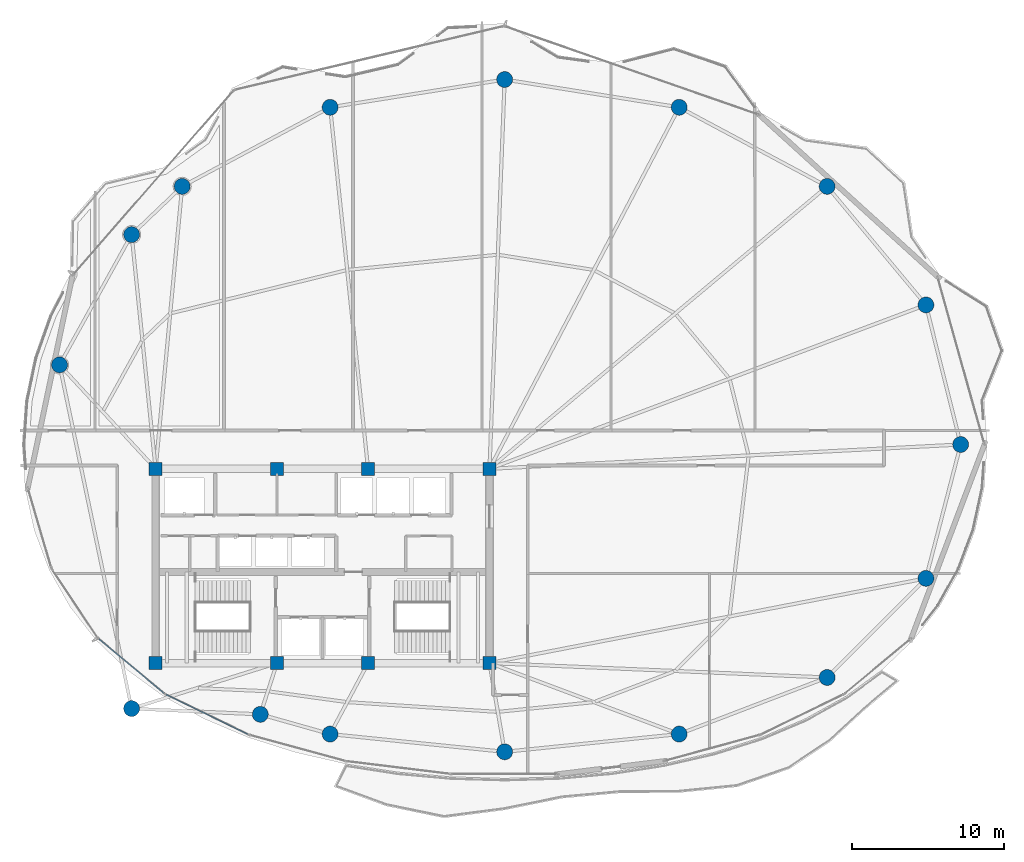
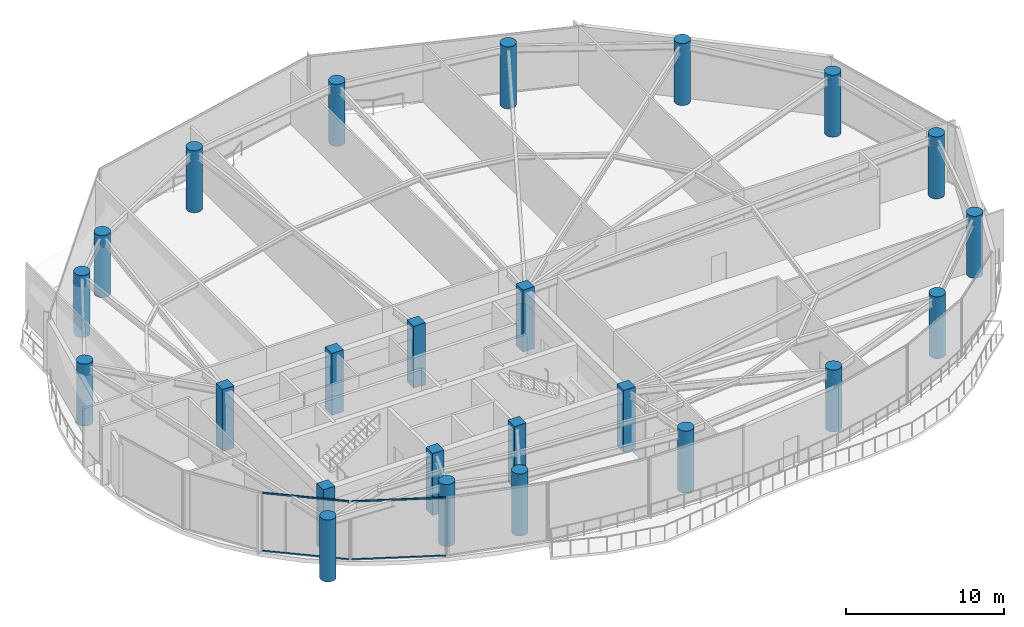
# One storey, part 1 of 28: 24 columns, 4 members, 2 elements without a shape of their own.
"""IFC4 building model written with IfcOpenShell, lengths in metres."""

from ifc_helpers import new_model, si_unit, direction, frame, origin, origin_2d, place, context, subcontext, project, spatial, rectangle, hollow_rectangle, circle, extrude, material, layer, layer_set, material_profile, profile_set, type_object, element, aggregate, save


model = new_model("IFC4")

# Units and contexts
model_context = context("Model", 3, precision=1e-05, world=origin(), true_north=direction((0.0, 1.0)))
body_context = subcontext(model_context, "Body", "Model", "MODEL_VIEW")
ifc_project = project(units=[si_unit("LENGTHUNIT", "METRE"), si_unit("AREAUNIT", "SQUARE_METRE"), si_unit("VOLUMEUNIT", "CUBIC_METRE"), si_unit("PLANEANGLEUNIT", "RADIAN"), si_unit("MASSUNIT", "GRAM", prefix="KILO")], contexts=[model_context])

# Site, building, storey
site_placement = place(None, origin())
site = spatial("IfcSite", under=ifc_project, at=site_placement, CompositionType="ELEMENT")
building_placement = place(site_placement, origin())
building = spatial("IfcBuilding", under=site, at=building_placement, Name="Kazevale Care Tower and Concert Hall", CompositionType="ELEMENT")
storey_placement = place(building_placement, frame((0.0, 0.0, 190.800048828125)))
storey = spatial("IfcBuildingStorey", under=building, at=storey_placement, Name="L50", CompositionType="ELEMENT", Elevation=190.800048828125)

# Columns
ifc_material_1 = material(Name="Concrete C50", Category="concrete")
ifc_material_profile_1 = material_profile(ifc_material_1, rectangle(XDim=0.85009765625, YDim=0.85009765625, at=origin_2d()), Name="RC-SQ850")
ifc_profile_set_1 = profile_set([ifc_material_profile_1], Name="Concrete C50")
column_type_1 = type_object("IfcColumnType", Name="Core Column SQ850 C50", PredefinedType="COLUMN", material=ifc_profile_set_1)
for number, where, z_axis, x_axis, name in (
    (1, (22.0, 23.60009765625, 0.0), (0.0, 0.0, 1.0), (1.0, 0.0, 0.0), "col:L50:CC-01"),
    (2, (30.0, 23.60009765625, 0.0), (0.0, 0.0, 1.0), (1.0, 0.0, 0.0), "col:L50:CC-02"),
    (3, (36.0, 23.60009765625, 0.0), (0.0, 0.0, 1.0), (1.0, 0.0, 0.0), "col:L50:CC-03"),
    (4, (44.0, 23.60009765625, 0.0), (0.0, 0.0, 1.0), (1.0, 0.0, 0.0), "col:L50:CC-04"),
    (5, (44.0, 36.39990234375, 0.0), (0.0, 0.0, 1.0), (1.0, 0.0, 0.0), "col:L50:CC-05"),
    (6, (36.0, 36.39990234375, 0.0), (0.0, 0.0, 1.0), (1.0, 0.0, 0.0), "col:L50:CC-06"),
    (7, (30.0, 36.39990234375, 0.0), (0.0, 0.0, 1.0), (1.0, 0.0, 0.0), "col:L50:CC-07"),
    (8, (22.0, 36.39990234375, 0.0), (0.0, 0.0, 1.0), (1.0, 0.0, 0.0), "col:L50:CC-08"),
):
    element("IfcColumn", number, at=place(storey_placement, frame(where, z_axis=z_axis, x_axis=x_axis)), inside=storey, type_object=column_type_1, Name=name, PredefinedType="COLUMN", context=body_context, shape_type="SweptSolid", body=[
        extrude(rectangle(XDim=0.85009765625, YDim=0.85009765625, at=origin_2d()), origin(), (0.0, 0.0, 1.0), 4.800048828125),
    ])
ifc_material_profile_2 = material_profile(ifc_material_1, circle(Radius=0.52490234375, at=origin_2d()), Name="RC-CIR1050")
ifc_profile_set_2 = profile_set([ifc_material_profile_2], Name="Concrete C50")
column_type_2 = type_object("IfcColumnType", Name="Perimeter Column CIR1050 C50", PredefinedType="COLUMN", material=ifc_profile_set_2)
for number, where, z_axis, x_axis, name in (
    (9, (75.050048828125, 38.0, 0.0), (0.0, 0.0, 1.0), (1.0, 0.0, 0.0), "col:L50:PC-01"),
    (10, (72.760009765625, 47.199951171875, 0.0), (0.0, 0.0, 1.0), (1.0, 0.0, 0.0), "col:L50:PC-02"),
    (11, (66.25, 55.010009765625, 0.0), (0.0, 0.0, 1.0), (1.0, 0.0, 0.0), "col:L50:PC-03"),
    (12, (56.5, 60.219970703125, 0.0), (0.0, 0.0, 1.0), (1.0, 0.0, 0.0), "col:L50:PC-04"),
    (13, (45.0, 62.050048828125, 0.0), (0.0, 0.0, 1.0), (1.0, 0.0, 0.0), "col:L50:PC-05"),
    (14, (33.5, 60.219970703125, 0.0), (0.0, 0.0, 1.0), (1.0, 0.0, 0.0), "col:L50:PC-06"),
    (15, (23.75, 55.010009765625, 0.0), (0.0, 0.0, 1.0), (1.0, 0.0, 0.0), "col:L50:PC-07"),
    (16, (20.419921875, 51.830078125, 0.0), (0.0, 0.0, 1.0), (1.0, 0.0, 0.0), "col:L50:PC-08"),
    (17, (15.669921875, 43.25, 0.0), (0.0, 0.0, 1.0), (1.0, 0.0, 0.0), "col:L50:PC-09"),
    (18, (20.419921875, 20.60009765625, 0.0), (0.0, 0.0, 1.0), (1.0, 0.0, 0.0), "col:L50:PC-10"),
    (19, (28.89990234375, 20.219970703125, 0.0), (0.0, 0.0, 1.0), (1.0, 0.0, 0.0), "col:L50:PC-11"),
    (20, (33.5, 18.919921875, 0.0), (0.0, 0.0, 1.0), (1.0, 0.0, 0.0), "col:L50:PC-12"),
    (21, (45.0, 17.75, 0.0), (0.0, 0.0, 1.0), (1.0, 0.0, 0.0), "col:L50:PC-13"),
    (22, (56.5, 18.919921875, 0.0), (0.0, 0.0, 1.0), (1.0, 0.0, 0.0), "col:L50:PC-14"),
    (23, (66.25, 22.64990234375, 0.0), (0.0, 0.0, 1.0), (1.0, 0.0, 0.0), "col:L50:PC-15"),
    (24, (72.760009765625, 29.179931640625, 0.0), (0.0, 0.0, 1.0), (1.0, 0.0, 0.0), "col:L50:PC-16"),
):
    element("IfcColumn", number, at=place(storey_placement, frame(where, z_axis=z_axis, x_axis=x_axis)), inside=storey, type_object=column_type_2, Name=name, PredefinedType="COLUMN", context=body_context, shape_type="SweptSolid", body=[
        extrude(circle(Radius=0.52490234375, at=origin_2d()), origin(), (0.0, 0.0, 1.0), 4.800048828125),
    ])

# Curtain wall, members
ifc_material_2 = material(Name="Aluminium 6063-T6 and Low-E Glass", Category="aluminium")
ifc_layer = layer(ifc_material_2, 0.179931640625)
ifc_layer_set = layer_set([ifc_layer], Name="Aluminium 6063-T6 and Low-E Glass")
curtain_wall_type = type_object("IfcCurtainWallType", Name="Sheltered Concave Balcony Curtain Wall CW-5", PredefinedType="NOTDEFINED", material=ifc_layer_set)
curtain_wall_1_placement = place(storey_placement, origin())
curtain_wall_1 = element("IfcCurtainWall", 25, at=curtain_wall_1_placement, inside=storey, type_object=curtain_wall_type, Name="cw:L50:f09", PredefinedType="NOTDEFINED")
ifc_material_3 = material(Name="Aluminium 6063-T6", Category="aluminium")
ifc_material_profile_3 = material_profile(ifc_material_3, hollow_rectangle(XDim=0.074951171875, YDim=0.1201171875, WallThickness=0.00390625, at=origin_2d()), Name="ALU75x120x4")
ifc_profile_set_3 = profile_set([ifc_material_profile_3], Name="Aluminium 6063-T6")
member_type = type_object("IfcMemberType", Name="CW-5 Transom ALU75x120x4", PredefinedType="USERDEFINED", material=ifc_profile_set_3)
member_1_placement = place(storey_placement, frame((28.07666015625, 18.90576171875, 0.037353515625), z_axis=(-0.899342308406, 0.437245254189, 0.0), x_axis=(-0.437245254189, -0.899342308406, 0.0)))
member_1 = element("IfcMember", 26, at=member_1_placement, type_object=member_type, Name="CW-5 transom 1.1", ObjectType="TRANSOM", PredefinedType="USERDEFINED", context=body_context, shape_type="SweptSolid", body=[
    extrude(hollow_rectangle(XDim=0.074951171875, YDim=0.1201171875, WallThickness=0.00390625, at=origin_2d()), origin(), (0.0, 0.0, 1.0), 6.00244140625),
])
member_2_placement = place(storey_placement, frame((28.07666015625, 18.90576171875, 4.5224609375), z_axis=(-0.899342308406, 0.437245254189, 0.0), x_axis=(-0.437245254189, -0.899342308406, 0.0)))
member_2 = element("IfcMember", 27, at=member_2_placement, type_object=member_type, Name="CW-5 transom 1.2", ObjectType="TRANSOM", PredefinedType="USERDEFINED", context=body_context, shape_type="SweptSolid", body=[
    extrude(hollow_rectangle(XDim=0.074951171875, YDim=0.1201171875, WallThickness=0.00390625, at=origin_2d()), origin(), (0.0, 0.0, 1.0), 6.00244140625),
])
aggregate(curtain_wall_1, [member_1, member_2])

curtain_wall_2_placement = place(storey_placement, origin())
curtain_wall_2 = element("IfcCurtainWall", 28, at=curtain_wall_2_placement, inside=storey, type_object=curtain_wall_type, Name="cw:L50:f10", PredefinedType="NOTDEFINED")
member_3_placement = place(storey_placement, frame((22.553466796875, 21.611083984375, 0.037353515625), z_axis=(-0.768432829708, 0.639930454211, 0.0), x_axis=(-0.639930454211, -0.768432829708, 0.0)))
member_3 = element("IfcMember", 29, at=member_3_placement, type_object=member_type, Name="CW-5 transom 1.1", ObjectType="TRANSOM", PredefinedType="USERDEFINED", context=body_context, shape_type="SweptSolid", body=[
    extrude(hollow_rectangle(XDim=0.074951171875, YDim=0.1201171875, WallThickness=0.00390625, at=origin_2d()), origin(), (0.0, 0.0, 1.0), 5.580078125),
])
member_4_placement = place(storey_placement, frame((22.553466796875, 21.611083984375, 4.5224609375), z_axis=(-0.768432829708, 0.639930454211, 0.0), x_axis=(-0.639930454211, -0.768432829708, 0.0)))
member_4 = element("IfcMember", 30, at=member_4_placement, type_object=member_type, Name="CW-5 transom 1.2", ObjectType="TRANSOM", PredefinedType="USERDEFINED", context=body_context, shape_type="SweptSolid", body=[
    extrude(hollow_rectangle(XDim=0.074951171875, YDim=0.1201171875, WallThickness=0.00390625, at=origin_2d()), origin(), (0.0, 0.0, 1.0), 5.580078125),
])
aggregate(curtain_wall_2, [member_3, member_4])

save(model, "model.ifc")
